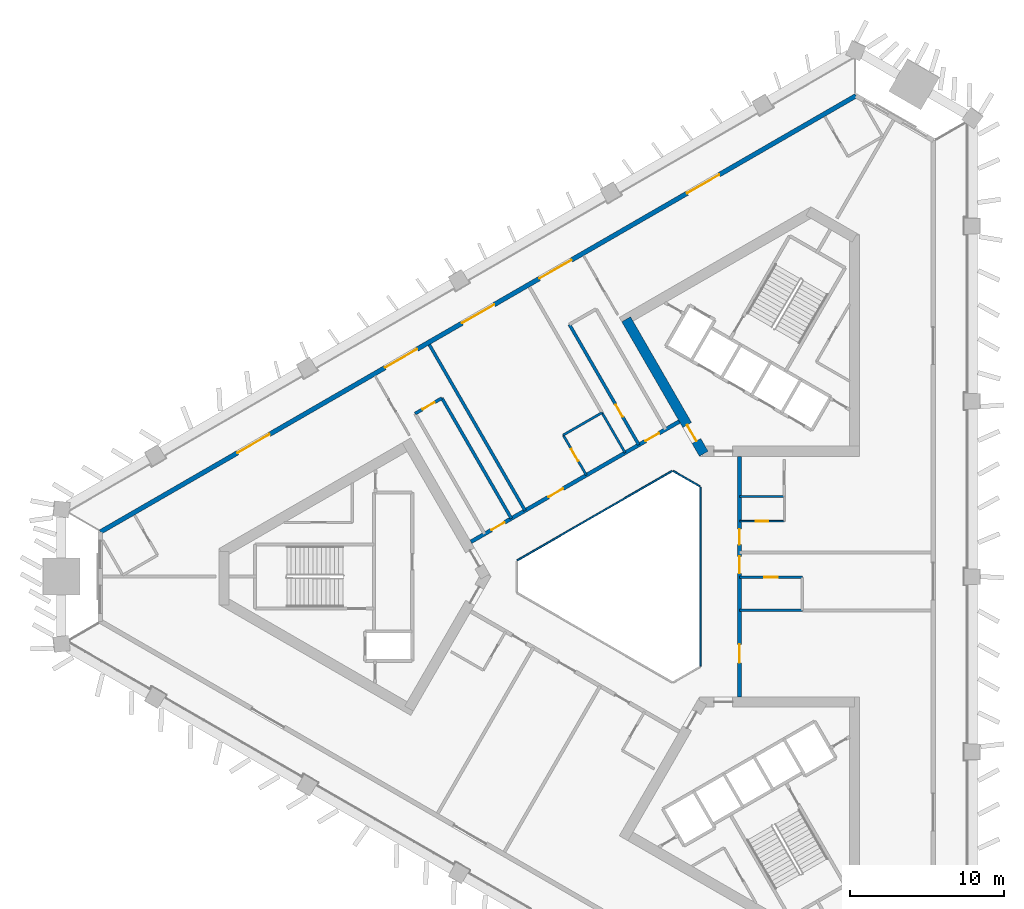
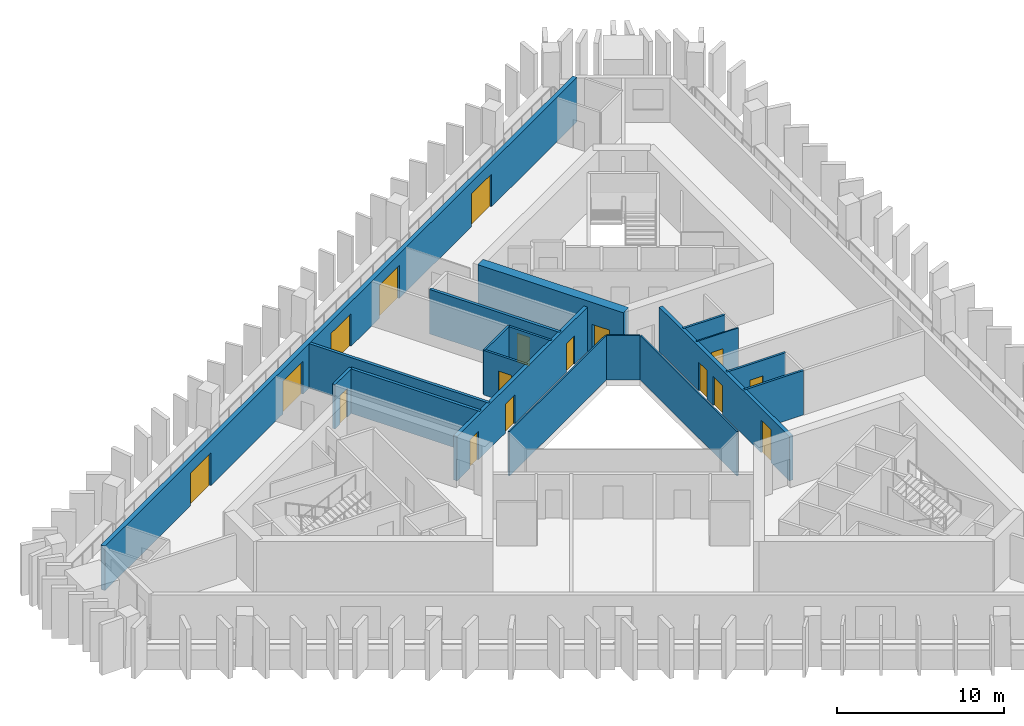
# One storey, part 4 of 10: 18 walls, 17 doors, 17 openings.
"""IFC4 building model written with IfcOpenShell, lengths in metres."""

from ifc_helpers import new_model, si_unit, direction, frame, frame_2d, origin, place, context, subcontext, project, spatial, rectangle, extrude, material, layer, layer_set, type_object, element, fill, save


model = new_model("IFC4")

# Units and contexts
model_context = context("Model", 3, precision=1e-05, world=origin(), true_north=direction((0.0, 1.0)))
body_context = subcontext(model_context, "Body", "Model", "MODEL_VIEW")
ifc_project = project(units=[si_unit("LENGTHUNIT", "METRE"), si_unit("AREAUNIT", "SQUARE_METRE"), si_unit("VOLUMEUNIT", "CUBIC_METRE"), si_unit("PLANEANGLEUNIT", "RADIAN"), si_unit("MASSUNIT", "GRAM", prefix="KILO")], contexts=[model_context])

# Site, building, storey
site_placement = place(None, origin())
site = spatial("IfcSite", under=ifc_project, at=site_placement, CompositionType="ELEMENT")
building_placement = place(site_placement, origin())
building = spatial("IfcBuilding", under=site, at=building_placement, Name="Jabali Bay Hotel Tower and Convention Centre", CompositionType="ELEMENT")
storey_placement = place(building_placement, frame((0.0, 0.0, 121.60009765625)))
storey = spatial("IfcBuildingStorey", under=building, at=storey_placement, Name="L29", CompositionType="ELEMENT", Elevation=121.60009765625)

# Walls
ifc_material_1 = material(Name="Fire-resistant glazing", Category="glass")
ifc_layer_1 = layer(ifc_material_1, 0.10009765625)
ifc_layer_set_1 = layer_set([ifc_layer_1], Name="Fire-resistant glazing")
wall_type_1 = type_object("IfcWallType", Name="Atrium glazed screen 100", PredefinedType="PARTITIONING", material=ifc_layer_set_1)
wall_1_placement = place(storey_placement, frame((79.56005859375, 74.205810546875, 0.0), z_axis=(0.0, 0.0, 1.0), x_axis=(0.0, 1.0, 0.0)))
element("IfcWall", 1, at=wall_1_placement, inside=storey, type_object=wall_type_1, Name="Atrium screen 1 L29", PredefinedType="PARTITIONING", context=body_context, shape_type="SweptSolid", body=[
    extrude(rectangle(XDim=11.58837890625, YDim=0.10009765625, at=frame_2d((5.794189453125, 0.0))), origin(), (0.0, 0.0, 1.0), 3.25),
])
wall_2_placement = place(storey_placement, frame((79.530029296875, 85.84619140625, 0.0), z_axis=(0.0, 0.0, 1.0), x_axis=(-0.866041268327, 0.499972520799, 0.0)))
element("IfcWall", 2, at=wall_2_placement, inside=storey, type_object=wall_type_1, Name="Atrium screen 2 L29", PredefinedType="PARTITIONING", context=body_context, shape_type="SweptSolid", body=[
    extrude(rectangle(XDim=2.0, YDim=0.10009765625, at=frame_2d((1.0, 0.0))), origin(), (0.0, 0.0, 1.0), 3.25),
])
wall_3_placement = place(storey_placement, frame((77.738037109375, 86.84619140625, 0.0), z_axis=(0.0, 0.0, 1.0), x_axis=(-0.866026658274, -0.499997827154, 0.0)))
element("IfcWall", 3, at=wall_3_placement, inside=storey, type_object=wall_type_1, Name="Atrium screen 3 L29", PredefinedType="PARTITIONING", context=body_context, shape_type="SweptSolid", body=[
    extrude(rectangle(XDim=11.58837890625, YDim=0.10009765625, at=frame_2d((5.794189453125, 0.0))), origin(), (0.0, 0.0, 1.0), 3.25),
])

# Wall, opening, door
ifc_material_2 = material(Name="Concrete C60", Category="concrete")
ifc_layer_2 = layer(ifc_material_2, 0.64990234375)
ifc_layer_set_2 = layer_set([ifc_layer_2], Name="Concrete C60")
wall_type_2 = type_object("IfcWallType", Name="Core wall 650", PredefinedType="SHEAR", material=ifc_layer_set_2)
wall_4_placement = place(storey_placement, frame((74.75390625, 96.66455078125, 0.0), z_axis=(0.0, 0.0, 1.0), x_axis=(0.500011799426, -0.866018591275, 0.0)))
wall_4 = element("IfcWall", 4, at=wall_4_placement, inside=storey, type_object=wall_type_2, Name="Core wall 2.5 L29", PredefinedType="SHEAR", context=body_context, shape_type="SweptSolid", body=[
    extrude(rectangle(XDim=10.054931640625, YDim=0.64990234375, at=frame_2d((5.02734375, 0.0))), origin(), (0.0, 0.0, 1.0), 3.699951171875),
])
opening_1_placement = place(wall_4_placement, frame((7.905029296875, 0.0, 0.0)))
opening_1 = element("IfcOpeningElement", 5, at=opening_1_placement, cuts=wall_4, Name="Opening D648", PredefinedType="OPENING", context=body_context, shape_type="SweptSolid", body=[
    extrude(rectangle(XDim=1.199951171875, YDim=2.10009765625, at=frame_2d((0.60009765625, 1.050048828125))), frame((0.0, 0.33544921875, 0.0), z_axis=(0.0, -1.0, 0.0), x_axis=(1.0, 0.0, 0.0)), (0.0, 0.0, 1.0), 0.6708984375),
])
ifc_material_3 = material(Name="Fire-rated steel door", Category="steel")
door_type_1 = type_object("IfcDoorType", Name="Corridor end fire door 1200 x 2100", OperationType="NOTDEFINED", PredefinedType="NOTDEFINED", material=ifc_material_3)
door_1_placement = place(opening_1_placement, origin())
door_1 = element("IfcDoor", 6, at=door_1_placement, inside=storey, type_object=door_type_1, Name="Corridor end fire door D648", OperationType="SINGLE_SWING_LEFT", OverallHeight=2.10009765625, OverallWidth=1.199951171875, PredefinedType="NOTDEFINED", context=body_context, shape_type="SweptSolid", body=[
    extrude(rectangle(XDim=1.199951171875, YDim=2.10009765625, at=frame_2d((0.60009765625, 1.050048828125))), frame((0.0, 0.02490234375, 0.0), z_axis=(0.0, -1.0, 0.0), x_axis=(1.0, 0.0, 0.0)), (0.0, 0.0, 1.0), 0.050048828125),
])
fill(opening_1, door_1)

# Wall, openings, doors
ifc_layer_3 = layer(ifc_material_2, 0.25)
ifc_layer_set_3 = layer_set([ifc_layer_3], Name="Concrete C60")
wall_type_3 = type_object("IfcWallType", Name="Corridor wall 250", PredefinedType="SHEAR", material=ifc_layer_set_3)
wall_5_placement = place(storey_placement, frame((82.10009765625, 72.205810546875, 0.0), z_axis=(0.0, 0.0, 1.0), x_axis=(0.0, 1.0, 0.0)))
wall_5 = element("IfcWall", 7, at=wall_5_placement, inside=storey, type_object=wall_type_3, Name="Corridor wall 1 L29", PredefinedType="SHEAR", context=body_context, shape_type="SweptSolid", body=[
    extrude(rectangle(XDim=15.58837890625, YDim=0.25, at=frame_2d((7.794189453125, 0.0))), origin(), (0.0, 0.0, 1.0), 3.25),
])
opening_2_placement = place(wall_5_placement, frame((2.205810546875, 0.0, 0.0)))
opening_2 = element("IfcOpeningElement", 8, at=opening_2_placement, cuts=wall_5, Name="Opening 2901", PredefinedType="OPENING", context=body_context, shape_type="SweptSolid", body=[
    extrude(rectangle(XDim=1.199951171875, YDim=2.39990234375, at=frame_2d((0.60009765625, 1.199951171875))), frame((0.0, 0.135498046875, 0.0), z_axis=(0.0, -1.0, 0.0), x_axis=(1.0, 0.0, 0.0)), (0.0, 0.0, 1.0), 0.27099609375),
])
opening_3_placement = place(wall_5_placement, frame((8.003173828125, 0.0, 0.0)))
opening_3 = element("IfcOpeningElement", 9, at=opening_3_placement, cuts=wall_5, Name="Opening 2903", PredefinedType="OPENING", context=body_context, shape_type="SweptSolid", body=[
    extrude(rectangle(XDim=1.10009765625, YDim=2.10009765625, at=frame_2d((0.550048828125, 1.050048828125))), frame((0.0, 0.135498046875, 0.0), z_axis=(0.0, -1.0, 0.0), x_axis=(1.0, 0.0, 0.0)), (0.0, 0.0, 1.0), 0.27099609375),
])
opening_4_placement = place(wall_5_placement, frame((9.870849609375, 0.0, 0.0)))
opening_4 = element("IfcOpeningElement", 10, at=opening_4_placement, cuts=wall_5, Name="Opening 2906", PredefinedType="OPENING", context=body_context, shape_type="SweptSolid", body=[
    extrude(rectangle(XDim=1.0, YDim=2.10009765625, at=frame_2d((0.5, 1.050048828125))), frame((0.0, 0.135498046875, 0.0), z_axis=(0.0, -1.0, 0.0), x_axis=(1.0, 0.0, 0.0)), (0.0, 0.0, 1.0), 0.27099609375),
])
ifc_material_4 = material(Name="Timber", Category="wood")
door_type_2 = type_object("IfcDoorType", Name="Accessible guest room door 1100 x 2100", OperationType="NOTDEFINED", PredefinedType="NOTDEFINED", material=ifc_material_4)
door_2_placement = place(opening_3_placement, origin())
door_2 = element("IfcDoor", 11, at=door_2_placement, inside=storey, type_object=door_type_2, Name="Door 2903", OperationType="SINGLE_SWING_RIGHT", OverallHeight=2.10009765625, OverallWidth=1.10009765625, PredefinedType="NOTDEFINED", context=body_context, shape_type="SweptSolid", body=[
    extrude(rectangle(XDim=1.10009765625, YDim=2.10009765625, at=frame_2d((0.550048828125, 1.050048828125))), frame((0.0, 0.02490234375, 0.0), z_axis=(0.0, -1.0, 0.0), x_axis=(1.0, 0.0, 0.0)), (0.0, 0.0, 1.0), 0.050048828125),
])
fill(opening_3, door_2)
door_type_3 = type_object("IfcDoorType", Name="Guest room door 1000 x 2100", OperationType="NOTDEFINED", PredefinedType="NOTDEFINED", material=ifc_material_4)
door_3_placement = place(opening_4_placement, origin())
door_3 = element("IfcDoor", 12, at=door_3_placement, inside=storey, type_object=door_type_3, Name="Door 2906", OperationType="SINGLE_SWING_RIGHT", OverallHeight=2.10009765625, OverallWidth=1.0, PredefinedType="NOTDEFINED", context=body_context, shape_type="SweptSolid", body=[
    extrude(rectangle(XDim=1.0, YDim=2.10009765625, at=frame_2d((0.5, 1.050048828125))), frame((0.0, 0.02490234375, 0.0), z_axis=(0.0, -1.0, 0.0), x_axis=(1.0, 0.0, 0.0)), (0.0, 0.0, 1.0), 0.050048828125),
])
fill(opening_4, door_3)
door_type_4 = type_object("IfcDoorType", Name="Public room door 1200 x 2400", OperationType="NOTDEFINED", PredefinedType="NOTDEFINED", material=ifc_material_4)
door_4_placement = place(opening_2_placement, origin())
door_4 = element("IfcDoor", 13, at=door_4_placement, inside=storey, type_object=door_type_4, Name="Door 2901", OperationType="SINGLE_SWING_LEFT", OverallHeight=2.39990234375, OverallWidth=1.199951171875, PredefinedType="NOTDEFINED", context=body_context, shape_type="SweptSolid", body=[
    extrude(rectangle(XDim=1.199951171875, YDim=2.39990234375, at=frame_2d((0.60009765625, 1.199951171875))), frame((0.0, 0.02490234375, 0.0), z_axis=(0.0, -1.0, 0.0), x_axis=(1.0, 0.0, 0.0)), (0.0, 0.0, 1.0), 0.050048828125),
])
fill(opening_2, door_4)

wall_6_placement = place(storey_placement, frame((78.199951171875, 90.0458984375, 0.0), z_axis=(0.0, 0.0, 1.0), x_axis=(-0.866026492143, -0.499998114903, 0.0)))
wall_6 = element("IfcWall", 14, at=wall_6_placement, inside=storey, type_object=wall_type_3, Name="Corridor wall 2 L29", PredefinedType="SHEAR", context=body_context, shape_type="SweptSolid", body=[
    extrude(rectangle(XDim=15.58837890625, YDim=0.25, at=frame_2d((7.794189453125, 0.0))), origin(), (0.0, 0.0, 1.0), 3.25),
])
opening_5_placement = place(wall_6_placement, frame((1.526611328125, 0.0, 0.0)))
opening_5 = element("IfcOpeningElement", 15, at=opening_5_placement, cuts=wall_6, Name="Opening 2907", PredefinedType="OPENING", context=body_context, shape_type="SweptSolid", body=[
    extrude(rectangle(XDim=1.0, YDim=2.10009765625, at=frame_2d((0.5, 1.050048828125))), frame((0.0, 0.135498046875, 0.0), z_axis=(0.0, -1.0, 0.0), x_axis=(1.0, 0.0, 0.0)), (0.0, 0.0, 1.0), 0.27099609375),
])
opening_6_placement = place(wall_6_placement, frame((8.694091796875, 0.0, 0.0)))
opening_6 = element("IfcOpeningElement", 16, at=opening_6_placement, cuts=wall_6, Name="Opening 2912", PredefinedType="OPENING", context=body_context, shape_type="SweptSolid", body=[
    extrude(rectangle(XDim=1.10009765625, YDim=2.10009765625, at=frame_2d((0.550048828125, 1.050048828125))), frame((0.0, 0.135498046875, 0.0), z_axis=(0.0, -1.0, 0.0), x_axis=(1.0, 0.0, 0.0)), (0.0, 0.0, 1.0), 0.27099609375),
])
opening_7_placement = place(wall_6_placement, frame((13.06201171875, 0.0, 0.0)))
opening_7 = element("IfcOpeningElement", 17, at=opening_7_placement, cuts=wall_6, Name="Opening 2913", PredefinedType="OPENING", context=body_context, shape_type="SweptSolid", body=[
    extrude(rectangle(XDim=1.0, YDim=2.10009765625, at=frame_2d((0.5, 1.050048828125))), frame((0.0, 0.135498046875, 0.0), z_axis=(0.0, -1.0, 0.0), x_axis=(1.0, 0.0, 0.0)), (0.0, 0.0, 1.0), 0.27099609375),
])
door_5_placement = place(opening_6_placement, origin())
door_5 = element("IfcDoor", 18, at=door_5_placement, inside=storey, type_object=door_type_2, Name="Door 2912", OperationType="SINGLE_SWING_RIGHT", OverallHeight=2.10009765625, OverallWidth=1.10009765625, PredefinedType="NOTDEFINED", context=body_context, shape_type="SweptSolid", body=[
    extrude(rectangle(XDim=1.10009765625, YDim=2.10009765625, at=frame_2d((0.550048828125, 1.050048828125))), frame((0.0, 0.02490234375, 0.0), z_axis=(0.0, -1.0, 0.0), x_axis=(1.0, 0.0, 0.0)), (0.0, 0.0, 1.0), 0.050048828125),
])
fill(opening_6, door_5)
door_6_placement = place(opening_5_placement, origin())
door_6 = element("IfcDoor", 19, at=door_6_placement, inside=storey, type_object=door_type_3, Name="Door 2907", OperationType="SINGLE_SWING_LEFT", OverallHeight=2.10009765625, OverallWidth=1.0, PredefinedType="NOTDEFINED", context=body_context, shape_type="SweptSolid", body=[
    extrude(rectangle(XDim=1.0, YDim=2.10009765625, at=frame_2d((0.5, 1.050048828125))), frame((0.0, 0.02490234375, 0.0), z_axis=(0.0, -1.0, 0.0), x_axis=(1.0, 0.0, 0.0)), (0.0, 0.0, 1.0), 0.050048828125),
])
fill(opening_5, door_6)
door_7_placement = place(opening_7_placement, origin())
door_7 = element("IfcDoor", 20, at=door_7_placement, inside=storey, type_object=door_type_3, Name="Door 2913", OperationType="SINGLE_SWING_RIGHT", OverallHeight=2.10009765625, OverallWidth=1.0, PredefinedType="NOTDEFINED", context=body_context, shape_type="SweptSolid", body=[
    extrude(rectangle(XDim=1.0, YDim=2.10009765625, at=frame_2d((0.5, 1.050048828125))), frame((0.0, 0.02490234375, 0.0), z_axis=(0.0, -1.0, 0.0), x_axis=(1.0, 0.0, 0.0)), (0.0, 0.0, 1.0), 0.050048828125),
])
fill(opening_7, door_7)

ifc_material_5 = material(Name="Concrete C40", Category="concrete")
ifc_layer_4 = layer(ifc_material_5, 0.300048828125)
ifc_layer_set_4 = layer_set([ifc_layer_4], Name="Concrete C40")
wall_type_4 = type_object("IfcWallType", Name="External wall 300", PredefinedType="SOLIDWALL", material=ifc_layer_set_4)
wall_7_placement = place(storey_placement, frame((40.705810546875, 82.890869140625, 0.0), z_axis=(0.0, 0.0, 1.0), x_axis=(0.866024855185, 0.5000009502, 0.0)))
wall_7 = element("IfcWall", 21, at=wall_7_placement, inside=storey, type_object=wall_type_4, Name="External wall north-west face L29", PredefinedType="SOLIDWALL", context=body_context, shape_type="SweptSolid", body=[
    extrude(rectangle(XDim=56.50830078125, YDim=0.300048828125, at=frame_2d((28.254150390625, 0.0))), origin(), (0.0, 0.0, 1.0), 3.25),
])
opening_8_placement = place(wall_7_placement, frame((27.05419921875, 0.0, 0.0)))
opening_8 = element("IfcOpeningElement", 22, at=opening_8_placement, cuts=wall_7, Name="Opening SD1", PredefinedType="OPENING", context=body_context, shape_type="SweptSolid", body=[
    extrude(rectangle(XDim=2.39990234375, YDim=2.39990234375, at=frame_2d((1.199951171875, 1.199951171875))), frame((0.0, 0.16064453125, 0.0), z_axis=(0.0, -1.0, 0.0), x_axis=(1.0, 0.0, 0.0)), (0.0, 0.0, 1.0), 0.321044921875),
])
opening_9_placement = place(wall_7_placement, frame((32.82177734375, 0.0, 0.0)))
opening_9 = element("IfcOpeningElement", 23, at=opening_9_placement, cuts=wall_7, Name="Opening SD1", PredefinedType="OPENING", context=body_context, shape_type="SweptSolid", body=[
    extrude(rectangle(XDim=2.39990234375, YDim=2.39990234375, at=frame_2d((1.199951171875, 1.199951171875))), frame((0.0, 0.16064453125, 0.0), z_axis=(0.0, -1.0, 0.0), x_axis=(1.0, 0.0, 0.0)), (0.0, 0.0, 1.0), 0.321044921875),
])
opening_10_placement = place(wall_7_placement, frame((43.875, 0.0, 0.0)))
opening_10 = element("IfcOpeningElement", 24, at=opening_10_placement, cuts=wall_7, Name="Opening SD1", PredefinedType="OPENING", context=body_context, shape_type="SweptSolid", body=[
    extrude(rectangle(XDim=2.39990234375, YDim=2.39990234375, at=frame_2d((1.199951171875, 1.199951171875))), frame((0.0, 0.16064453125, 0.0), z_axis=(0.0, -1.0, 0.0), x_axis=(1.0, 0.0, 0.0)), (0.0, 0.0, 1.0), 0.321044921875),
])
opening_11_placement = place(wall_7_placement, frame((21.286376953125, 0.0, 0.0)))
opening_11 = element("IfcOpeningElement", 25, at=opening_11_placement, cuts=wall_7, Name="Opening SD1", PredefinedType="OPENING", context=body_context, shape_type="SweptSolid", body=[
    extrude(rectangle(XDim=2.39990234375, YDim=2.39990234375, at=frame_2d((1.199951171875, 1.199951171875))), frame((0.0, 0.16064453125, 0.0), z_axis=(0.0, -1.0, 0.0), x_axis=(1.0, 0.0, 0.0)), (0.0, 0.0, 1.0), 0.321044921875),
])
opening_12_placement = place(wall_7_placement, frame((10.2509765625, 0.0, 0.0)))
opening_12 = element("IfcOpeningElement", 26, at=opening_12_placement, cuts=wall_7, Name="Opening SD1", PredefinedType="OPENING", context=body_context, shape_type="SweptSolid", body=[
    extrude(rectangle(XDim=2.39990234375, YDim=2.39990234375, at=frame_2d((1.199951171875, 1.199951171875))), frame((0.0, 0.16064453125, 0.0), z_axis=(0.0, -1.0, 0.0), x_axis=(1.0, 0.0, 0.0)), (0.0, 0.0, 1.0), 0.321044921875),
])
ifc_material_6 = material(Name="Glass", Category="glass")
door_type_5 = type_object("IfcDoorType", Name="Loggia sliding door 2400 x 2400", OperationType="NOTDEFINED", PredefinedType="NOTDEFINED", material=ifc_material_6)
door_8_placement = place(opening_8_placement, origin())
door_8 = element("IfcDoor", 27, at=door_8_placement, inside=storey, type_object=door_type_5, Name="Loggia sliding door 2906", OperationType="SLIDING_TO_LEFT", OverallHeight=2.39990234375, OverallWidth=2.39990234375, PredefinedType="NOTDEFINED", context=body_context, shape_type="SweptSolid", body=[
    extrude(rectangle(XDim=2.39990234375, YDim=2.39990234375, at=frame_2d((1.199951171875, 1.199951171875))), frame((0.0, 0.02490234375, 0.0), z_axis=(0.0, -1.0, 0.0), x_axis=(1.0, 0.0, 0.0)), (0.0, 0.0, 1.0), 0.050048828125),
])
fill(opening_8, door_8)
door_9_placement = place(opening_9_placement, origin())
door_9 = element("IfcDoor", 28, at=door_9_placement, inside=storey, type_object=door_type_5, Name="Loggia sliding door 2904", OperationType="SLIDING_TO_RIGHT", OverallHeight=2.39990234375, OverallWidth=2.39990234375, PredefinedType="NOTDEFINED", context=body_context, shape_type="SweptSolid", body=[
    extrude(rectangle(XDim=2.39990234375, YDim=2.39990234375, at=frame_2d((1.199951171875, 1.199951171875))), frame((0.0, 0.02490234375, 0.0), z_axis=(0.0, -1.0, 0.0), x_axis=(1.0, 0.0, 0.0)), (0.0, 0.0, 1.0), 0.050048828125),
])
fill(opening_9, door_9)
door_10_placement = place(opening_10_placement, origin())
door_10 = element("IfcDoor", 29, at=door_10_placement, inside=storey, type_object=door_type_5, Name="Loggia sliding door 2904", OperationType="SLIDING_TO_LEFT", OverallHeight=2.39990234375, OverallWidth=2.39990234375, PredefinedType="NOTDEFINED", context=body_context, shape_type="SweptSolid", body=[
    extrude(rectangle(XDim=2.39990234375, YDim=2.39990234375, at=frame_2d((1.199951171875, 1.199951171875))), frame((0.0, 0.02490234375, 0.0), z_axis=(0.0, -1.0, 0.0), x_axis=(1.0, 0.0, 0.0)), (0.0, 0.0, 1.0), 0.050048828125),
])
fill(opening_10, door_10)
door_11_placement = place(opening_11_placement, origin())
door_11 = element("IfcDoor", 30, at=door_11_placement, inside=storey, type_object=door_type_5, Name="Loggia sliding door 2907", OperationType="SLIDING_TO_RIGHT", OverallHeight=2.39990234375, OverallWidth=2.39990234375, PredefinedType="NOTDEFINED", context=body_context, shape_type="SweptSolid", body=[
    extrude(rectangle(XDim=2.39990234375, YDim=2.39990234375, at=frame_2d((1.199951171875, 1.199951171875))), frame((0.0, 0.02490234375, 0.0), z_axis=(0.0, -1.0, 0.0), x_axis=(1.0, 0.0, 0.0)), (0.0, 0.0, 1.0), 0.050048828125),
])
fill(opening_11, door_11)
door_12_placement = place(opening_12_placement, origin())
door_12 = element("IfcDoor", 31, at=door_12_placement, inside=storey, type_object=door_type_5, Name="Loggia sliding door 2907", OperationType="SLIDING_TO_LEFT", OverallHeight=2.39990234375, OverallWidth=2.39990234375, PredefinedType="NOTDEFINED", context=body_context, shape_type="SweptSolid", body=[
    extrude(rectangle(XDim=2.39990234375, YDim=2.39990234375, at=frame_2d((1.199951171875, 1.199951171875))), frame((0.0, 0.02490234375, 0.0), z_axis=(0.0, -1.0, 0.0), x_axis=(1.0, 0.0, 0.0)), (0.0, 0.0, 1.0), 0.050048828125),
])
fill(opening_12, door_12)

# Wall, opening, door
ifc_material_7 = material(Name="Plasterboard on steel stud", Category="steel")
ifc_layer_5 = layer(ifc_material_7, 0.10009765625)
ifc_layer_set_5 = layer_set([ifc_layer_5], Name="Plasterboard on steel stud")
wall_type_5 = type_object("IfcWallType", Name="Partition 100 unit", PredefinedType="PARTITIONING", material=ifc_layer_set_5)
wall_8_placement = place(storey_placement, frame((85.0, 83.59423828125, 0.0), z_axis=(0.0, 0.0, 1.0), x_axis=(-1.0, 0.0, 0.0)))
wall_8 = element("IfcWall", 32, at=wall_8_placement, inside=storey, type_object=wall_type_5, Name="Partition P02 L29 009", PredefinedType="PARTITIONING", context=body_context, shape_type="SweptSolid", body=[
    extrude(rectangle(XDim=2.89990234375, YDim=0.10009765625, at=frame_2d((1.449951171875, 0.0))), origin(), (0.0, 0.0, 1.0), 3.25),
])
opening_13_placement = place(wall_8_placement, frame((1.050048828125, 0.0, 0.0)))
opening_13 = element("IfcOpeningElement", 33, at=opening_13_placement, cuts=wall_8, Name="Opening 2905", PredefinedType="OPENING", context=body_context, shape_type="SweptSolid", body=[
    extrude(rectangle(XDim=0.800048828125, YDim=2.10009765625, at=frame_2d((0.39990234375, 1.050048828125))), frame((0.0, 0.060546875, 0.0), z_axis=(0.0, -1.0, 0.0), x_axis=(1.0, 0.0, 0.0)), (0.0, 0.0, 1.0), 0.12109375),
])
door_type_6 = type_object("IfcDoorType", Name="Dressing room door 800 x 2100", OperationType="NOTDEFINED", PredefinedType="NOTDEFINED", material=ifc_material_4)
door_13_placement = place(opening_13_placement, origin())
door_13 = element("IfcDoor", 34, at=door_13_placement, inside=storey, type_object=door_type_6, Name="Door 2905", OperationType="SINGLE_SWING_LEFT", OverallHeight=2.10009765625, OverallWidth=0.800048828125, PredefinedType="NOTDEFINED", context=body_context, shape_type="SweptSolid", body=[
    extrude(rectangle(XDim=0.800048828125, YDim=2.10009765625, at=frame_2d((0.39990234375, 1.050048828125))), frame((0.0, 0.02490234375, 0.0), z_axis=(0.0, -1.0, 0.0), x_axis=(1.0, 0.0, 0.0)), (0.0, 0.0, 1.0), 0.050048828125),
])
fill(opening_13, door_13)

# Wall
ifc_layer_6 = layer(ifc_material_7, 0.14990234375)
ifc_layer_set_6 = layer_set([ifc_layer_6], Name="Plasterboard on steel stud")
wall_type_6 = type_object("IfcWallType", Name="Partition 150 wet", PredefinedType="PARTITIONING", material=ifc_layer_set_6)
wall_9_placement = place(storey_placement, frame((86.1630859375, 77.817626953125, 0.0), z_axis=(0.0, 0.0, 1.0), x_axis=(-1.0, 0.0, 0.0)))
element("IfcWall", 35, at=wall_9_placement, inside=storey, type_object=wall_type_6, Name="Partition P03 L29 002", PredefinedType="PARTITIONING", context=body_context, shape_type="SweptSolid", body=[
    extrude(rectangle(XDim=4.06298828125, YDim=0.14990234375, at=frame_2d((2.031494140625, 0.0))), origin(), (0.0, 0.0, 1.0), 3.25),
])

# Wall, opening, door
wall_10_placement = place(storey_placement, frame((82.10009765625, 79.958740234375, 0.0), z_axis=(0.0, 0.0, 1.0), x_axis=(1.0, 0.0, 0.0)))
wall_10 = element("IfcWall", 36, at=wall_10_placement, inside=storey, type_object=wall_type_6, Name="Partition P03 L29 004", PredefinedType="PARTITIONING", context=body_context, shape_type="SweptSolid", body=[
    extrude(rectangle(XDim=4.06298828125, YDim=0.14990234375, at=frame_2d((2.031494140625, 0.0))), origin(), (0.0, 0.0, 1.0), 3.25),
])
opening_14_placement = place(wall_10_placement, frame((1.58203125, 0.0, 0.0)))
opening_14 = element("IfcOpeningElement", 37, at=opening_14_placement, cuts=wall_10, Name="Opening 2902", PredefinedType="OPENING", context=body_context, shape_type="SweptSolid", body=[
    extrude(rectangle(XDim=0.89990234375, YDim=2.10009765625, at=frame_2d((0.449951171875, 1.050048828125))), frame((0.0, 0.08544921875, 0.0), z_axis=(0.0, -1.0, 0.0), x_axis=(1.0, 0.0, 0.0)), (0.0, 0.0, 1.0), 0.1708984375),
])
door_type_7 = type_object("IfcDoorType", Name="Accessible en-suite door 900 x 2100", OperationType="NOTDEFINED", PredefinedType="NOTDEFINED", material=ifc_material_4)
door_14_placement = place(opening_14_placement, origin())
door_14 = element("IfcDoor", 38, at=door_14_placement, inside=storey, type_object=door_type_7, Name="Door 2902", OperationType="SINGLE_SWING_RIGHT", OverallHeight=2.10009765625, OverallWidth=0.89990234375, PredefinedType="NOTDEFINED", context=body_context, shape_type="SweptSolid", body=[
    extrude(rectangle(XDim=0.89990234375, YDim=2.10009765625, at=frame_2d((0.449951171875, 1.050048828125))), frame((0.0, 0.02490234375, 0.0), z_axis=(0.0, -1.0, 0.0), x_axis=(1.0, 0.0, 0.0)), (0.0, 0.0, 1.0), 0.050048828125),
])
fill(opening_14, door_14)

# Walls
wall_11_placement = place(storey_placement, frame((82.10009765625, 85.1943359375, 0.0), z_axis=(0.0, 0.0, 1.0), x_axis=(1.0, 0.0, 0.0)))
element("IfcWall", 39, at=wall_11_placement, inside=storey, type_object=wall_type_6, Name="Partition P03 L29 011", PredefinedType="PARTITIONING", context=body_context, shape_type="SweptSolid", body=[
    extrude(rectangle(XDim=2.89990234375, YDim=0.14990234375, at=frame_2d((1.449951171875, 0.0))), origin(), (0.0, 0.0, 1.0), 3.25),
])
wall_12_placement = place(storey_placement, frame((73.18994140625, 90.617431640625, 0.0), z_axis=(0.0, 0.0, 1.0), x_axis=(0.499990139034, -0.866031096941, 0.0)))
element("IfcWall", 40, at=wall_12_placement, inside=storey, type_object=wall_type_6, Name="Partition P03 L29 017", PredefinedType="PARTITIONING", context=body_context, shape_type="SweptSolid", body=[
    extrude(rectangle(XDim=3.0, YDim=0.14990234375, at=frame_2d((1.5, 0.0))), origin(), (0.0, 0.0, 1.0), 3.25),
])

# Wall, opening, door
wall_13_placement = place(storey_placement, frame((72.178466796875, 86.5693359375, 0.0), z_axis=(0.0, 0.0, 1.0), x_axis=(-0.499990139034, 0.866031096941, 0.0)))
wall_13 = element("IfcWall", 41, at=wall_13_placement, inside=storey, type_object=wall_type_6, Name="Partition P03 L29 021", PredefinedType="PARTITIONING", context=body_context, shape_type="SweptSolid", body=[
    extrude(rectangle(XDim=3.0, YDim=0.14990234375, at=frame_2d((1.5, 0.0))), origin(), (0.0, 0.0, 1.0), 3.25),
])
opening_15_placement = place(wall_13_placement, frame((1.050048828125, 0.0, 0.0)))
opening_15 = element("IfcOpeningElement", 42, at=opening_15_placement, cuts=wall_13, Name="Opening 2911", PredefinedType="OPENING", context=body_context, shape_type="SweptSolid", body=[
    extrude(rectangle(XDim=0.89990234375, YDim=2.10009765625, at=frame_2d((0.449951171875, 1.050048828125))), frame((0.0, 0.08544921875, 0.0), z_axis=(0.0, -1.0, 0.0), x_axis=(1.0, 0.0, 0.0)), (0.0, 0.0, 1.0), 0.1708984375),
])
door_15_placement = place(opening_15_placement, origin())
door_15 = element("IfcDoor", 43, at=door_15_placement, inside=storey, type_object=door_type_7, Name="Door 2911", OperationType="SINGLE_SWING_LEFT", OverallHeight=2.10009765625, OverallWidth=0.89990234375, PredefinedType="NOTDEFINED", context=body_context, shape_type="SweptSolid", body=[
    extrude(rectangle(XDim=0.89990234375, YDim=2.10009765625, at=frame_2d((0.449951171875, 1.050048828125))), frame((0.0, 0.02490234375, 0.0), z_axis=(0.0, -1.0, 0.0), x_axis=(1.0, 0.0, 0.0)), (0.0, 0.0, 1.0), 0.050048828125),
])
fill(opening_15, door_15)

# Wall
wall_14_placement = place(storey_placement, frame((70.678466796875, 89.16748046875, 0.0), z_axis=(0.0, 0.0, 1.0), x_axis=(0.866032775405, 0.499987231761, 0.0)))
element("IfcWall", 44, at=wall_14_placement, inside=storey, type_object=wall_type_6, Name="Partition P03 L29 022", PredefinedType="PARTITIONING", context=body_context, shape_type="SweptSolid", body=[
    extrude(rectangle(XDim=2.89990234375, YDim=0.14990234375, at=frame_2d((1.449951171875, 0.0))), origin(), (0.0, 0.0, 1.0), 3.25),
])

# Wall, opening, door
ifc_layer_7 = layer(ifc_material_7, 0.199951171875)
ifc_layer_set_7 = layer_set([ifc_layer_7], Name="Plasterboard on steel stud")
wall_type_7 = type_object("IfcWallType", Name="Partition 200 party", PredefinedType="PARTITIONING", material=ifc_layer_set_7)
wall_15_placement = place(storey_placement, frame((75.578857421875, 88.53271484375, 0.0), z_axis=(0.0, 0.0, 1.0), x_axis=(-0.5000018851, 0.866024315419, 0.0)))
wall_15 = element("IfcWall", 45, at=wall_15_placement, inside=storey, type_object=wall_type_7, Name="Partition P01 L29 013", PredefinedType="PARTITIONING", context=body_context, shape_type="SweptSolid", body=[
    extrude(rectangle(XDim=9.0, YDim=0.199951171875, at=frame_2d((4.5, 0.0))), origin(), (0.0, 0.0, 1.0), 3.25),
])
opening_16_placement = place(wall_15_placement, frame((2.10009765625, 0.0, 0.0)))
opening_16 = element("IfcOpeningElement", 46, at=opening_16_placement, cuts=wall_15, Name="Opening 2910", PredefinedType="OPENING", context=body_context, shape_type="SweptSolid", body=[
    extrude(rectangle(XDim=0.89990234375, YDim=2.10009765625, at=frame_2d((0.449951171875, 1.050048828125))), frame((0.0, 0.1103515625, 0.0), z_axis=(0.0, -1.0, 0.0), x_axis=(1.0, 0.0, 0.0)), (0.0, 0.0, 1.0), 0.220947265625),
])
door_type_8 = type_object("IfcDoorType", Name="Internal door 900 x 2100", OperationType="NOTDEFINED", PredefinedType="NOTDEFINED", material=ifc_material_4)
door_16_placement = place(opening_16_placement, origin())
door_16 = element("IfcDoor", 47, at=door_16_placement, inside=storey, type_object=door_type_8, Name="Door 2910", OperationType="SINGLE_SWING_LEFT", OverallHeight=2.10009765625, OverallWidth=0.89990234375, PredefinedType="NOTDEFINED", context=body_context, shape_type="SweptSolid", body=[
    extrude(rectangle(XDim=0.89990234375, YDim=2.10009765625, at=frame_2d((0.449951171875, 1.050048828125))), frame((0.0, 0.02490234375, 0.0), z_axis=(0.0, -1.0, 0.0), x_axis=(1.0, 0.0, 0.0)), (0.0, 0.0, 1.0), 0.050048828125),
])
fill(opening_16, door_16)

# Wall
wall_16_placement = place(storey_placement, frame((62.009033203125, 95.018310546875, 0.0), z_axis=(0.0, 0.0, 1.0), x_axis=(0.500003055615, -0.866023639617, 0.0)))
element("IfcWall", 48, at=wall_16_placement, inside=storey, type_object=wall_type_7, Name="Partition P01 L29 023", PredefinedType="PARTITIONING", context=body_context, shape_type="SweptSolid", body=[
    extrude(rectangle(XDim=12.40185546875, YDim=0.199951171875, at=frame_2d((6.200927734375, 0.0))), origin(), (0.0, 0.0, 1.0), 3.25),
])

# Wall, opening, door
wall_17_placement = place(storey_placement, frame((61.0888671875, 90.55908203125, 0.0), z_axis=(0.0, 0.0, 1.0), x_axis=(0.866041268327, 0.499972520799, 0.0)))
wall_17 = element("IfcWall", 49, at=wall_17_placement, inside=storey, type_object=wall_type_7, Name="Partition P01 L29 026", PredefinedType="PARTITIONING", context=body_context, shape_type="SweptSolid", body=[
    extrude(rectangle(XDim=2.0, YDim=0.199951171875, at=frame_2d((1.0, 0.0))), origin(), (0.0, 0.0, 1.0), 3.25),
])
opening_17_placement = place(wall_17_placement, frame((0.550048828125, 0.0, 0.0)))
opening_17 = element("IfcOpeningElement", 50, at=opening_17_placement, cuts=wall_17, Name="Opening 2916", PredefinedType="OPENING", context=body_context, shape_type="SweptSolid", body=[
    extrude(rectangle(XDim=0.89990234375, YDim=2.10009765625, at=frame_2d((0.449951171875, 1.050048828125))), frame((0.0, 0.1103515625, 0.0), z_axis=(0.0, -1.0, 0.0), x_axis=(1.0, 0.0, 0.0)), (0.0, 0.0, 1.0), 0.220947265625),
])
door_17_placement = place(opening_17_placement, origin())
door_17 = element("IfcDoor", 51, at=door_17_placement, inside=storey, type_object=door_type_8, Name="Door 2916", OperationType="SINGLE_SWING_RIGHT", OverallHeight=2.10009765625, OverallWidth=0.89990234375, PredefinedType="NOTDEFINED", context=body_context, shape_type="SweptSolid", body=[
    extrude(rectangle(XDim=0.89990234375, YDim=2.10009765625, at=frame_2d((0.449951171875, 1.050048828125))), frame((0.0, 0.02490234375, 0.0), z_axis=(0.0, -1.0, 0.0), x_axis=(1.0, 0.0, 0.0)), (0.0, 0.0, 1.0), 0.050048828125),
])
fill(opening_17, door_17)

# Wall
wall_18_placement = place(storey_placement, frame((62.821044921875, 91.55908203125, 0.0), z_axis=(0.0, 0.0, 1.0), x_axis=(0.5000018851, -0.866024315419, 0.0)))
element("IfcWall", 52, at=wall_18_placement, inside=storey, type_object=wall_type_7, Name="Partition P01 L29 027", PredefinedType="PARTITIONING", context=body_context, shape_type="SweptSolid", body=[
    extrude(rectangle(XDim=9.0, YDim=0.199951171875, at=frame_2d((4.5, 0.0))), origin(), (0.0, 0.0, 1.0), 3.25),
])

save(model, "model.ifc")
